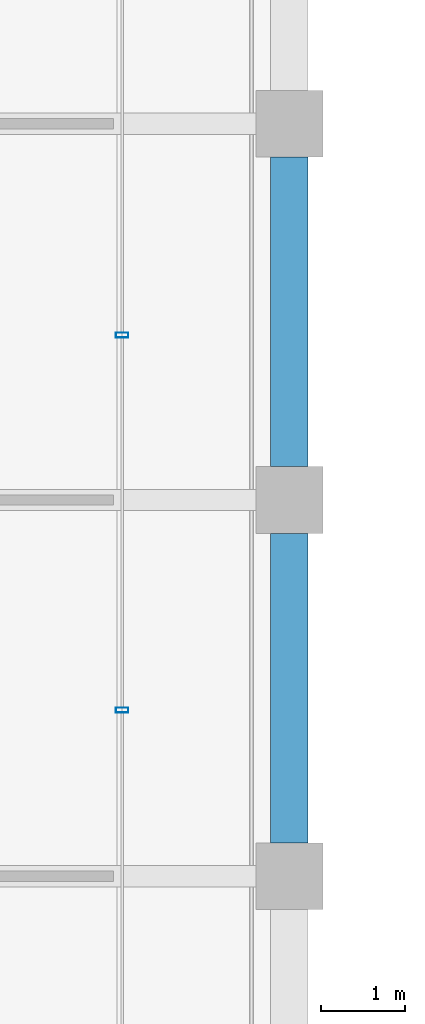
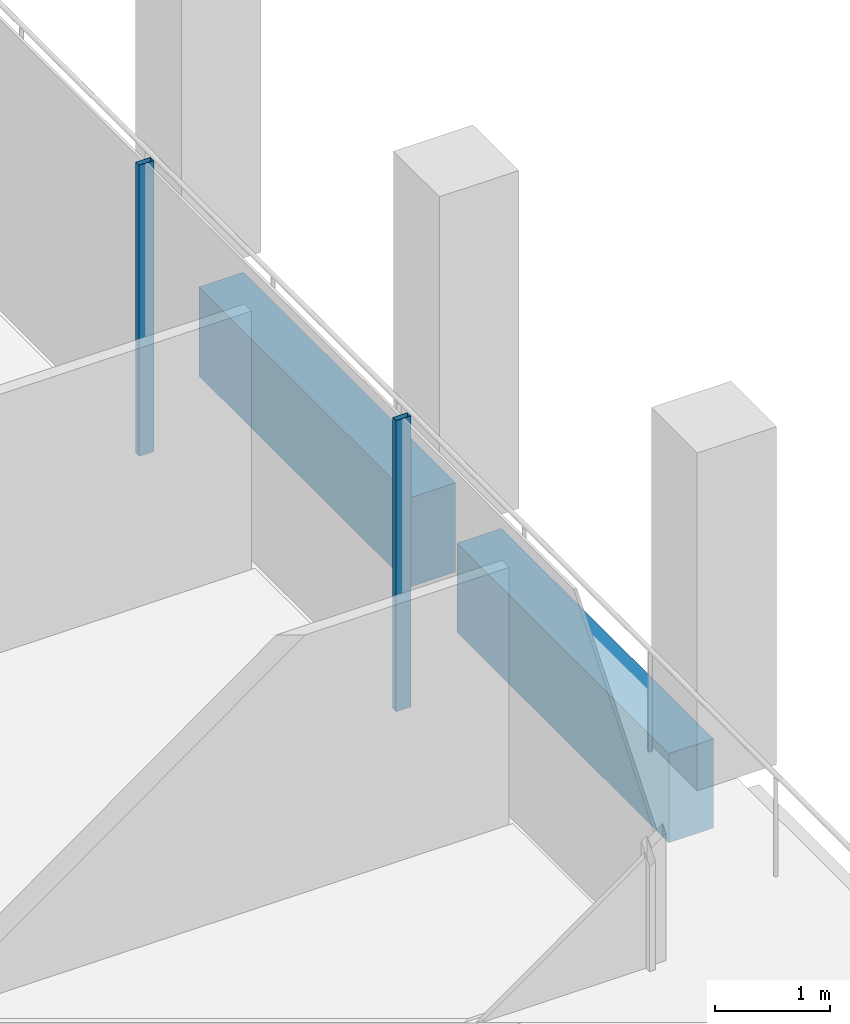
# One storey, part 15 of 41: 2 beams, 2 members, 1 element without a shape of its own.
"""IFC4 building model written with IfcOpenShell, lengths in metres."""

from ifc_helpers import new_model, si_unit, direction, frame, origin, origin_2d, place, context, subcontext, project, spatial, rectangle, hollow_rectangle, extrude, material, material_profile, profile_set, type_object, element, aggregate, save


model = new_model("IFC4")

# Units and contexts
model_context = context("Model", 3, precision=1e-05, world=origin(), true_north=direction((0.0, 1.0)))
body_context = subcontext(model_context, "Body", "Model", "MODEL_VIEW")
ifc_project = project(units=[si_unit("LENGTHUNIT", "METRE"), si_unit("AREAUNIT", "SQUARE_METRE"), si_unit("VOLUMEUNIT", "CUBIC_METRE"), si_unit("PLANEANGLEUNIT", "RADIAN"), si_unit("MASSUNIT", "GRAM", prefix="KILO")], contexts=[model_context])

# Site, building, storey
site_placement = place(None, origin())
site = spatial("IfcSite", under=ifc_project, at=site_placement, CompositionType="ELEMENT")
building_placement = place(site_placement, origin())
building = spatial("IfcBuilding", under=site, at=building_placement, Name="Altepetl Exchange Towers", CompositionType="ELEMENT")
storey_placement = place(building_placement, frame((0.0, 0.0, 206.39990234375)))
storey = spatial("IfcBuildingStorey", under=building, at=storey_placement, Name="L52", CompositionType="ELEMENT", Elevation=206.39990234375)

# Curtain wall, members
ifc_material_1 = material(Name="Aluminium 6063-T6 glazing", Category="aluminium")
curtain_wall_type = type_object("IfcCurtainWallType", Name="Loggia glazing system", PredefinedType="NOTDEFINED", material=ifc_material_1)
curtain_wall_placement = place(storey_placement, origin())
curtain_wall = element("IfcCurtainWall", 1, at=curtain_wall_placement, inside=storey, type_object=curtain_wall_type, Name="CW1 run", PredefinedType="NOTDEFINED")
ifc_material_2 = material(Name="Aluminium 6063-T6", Category="aluminium")
ifc_material_profile_1 = material_profile(ifc_material_2, hollow_rectangle(XDim=0.06005859375, YDim=0.14990234375, WallThickness=0.0029296875, at=origin_2d()), Name="Mullion 60x150 aluminium")
ifc_profile_set_1 = profile_set([ifc_material_profile_1], Name="Aluminium 6063-T6")
member_type = type_object("IfcMemberType", Name="Mullion 60x150 aluminium", PredefinedType="MULLION", material=ifc_profile_set_1)
member_1_placement = place(storey_placement, frame((70.0, 37.986083984375, 0.0), z_axis=(0.0, 0.0, 1.0), x_axis=(0.0, 1.0, 0.0)))
member_1 = element("IfcMember", 2, at=member_1_placement, type_object=member_type, Name="MU1 mullion", PredefinedType="MULLION", context=body_context, shape_type="SweptSolid", body=[
    extrude(hollow_rectangle(XDim=0.06005859375, YDim=0.14990234375, WallThickness=0.0029296875, at=origin_2d()), origin(), (0.0, 0.0, 1.0), 3.10009765625),
])
member_2_placement = place(storey_placement, frame((70.0, 42.471923828125, 0.0), z_axis=(0.0, 0.0, 1.0), x_axis=(0.0, 1.0, 0.0)))
member_2 = element("IfcMember", 3, at=member_2_placement, type_object=member_type, Name="MU1 mullion", PredefinedType="MULLION", context=body_context, shape_type="SweptSolid", body=[
    extrude(hollow_rectangle(XDim=0.06005859375, YDim=0.14990234375, WallThickness=0.0029296875, at=origin_2d()), origin(), (0.0, 0.0, 1.0), 3.10009765625),
])
aggregate(curtain_wall, [member_1, member_2])

# Beams
ifc_material_3 = material(Name="Concrete C50/60 precast with cantera amarilla facing", Category="concrete")
ifc_material_profile_2 = material_profile(ifc_material_3, rectangle(XDim=0.449951171875, YDim=0.949951171875, at=origin_2d()), Name="450 x 950")
ifc_profile_set_2 = profile_set([ifc_material_profile_2], Name="Concrete C50/60 precast with cantera amarilla facing")
beam_type = type_object("IfcBeamType", Name="Spandrel beam 450x950 cantera amarilla", PredefinedType="SPANDREL", material=ifc_profile_set_2)
for number, where, z_axis, x_axis, name in (
    (4, (72.0, 36.39990234375, -0.625), (0.0, 1.0, 0.0), (-1.0, 0.0, 0.0), "sp:A:L52:013"),
    (5, (72.0, 40.89990234375, -0.625), (0.0, 1.0, 0.0), (-1.0, 0.0, 0.0), "sp:A:L52:014"),
):
    element("IfcBeam", number, at=place(storey_placement, frame(where, z_axis=z_axis, x_axis=x_axis)), inside=storey, type_object=beam_type, Name=name, PredefinedType="SPANDREL", context=body_context, shape_type="SweptSolid", body=[
        extrude(rectangle(XDim=0.449951171875, YDim=0.949951171875, at=origin_2d()), origin(), (0.0, 0.0, 1.0), 3.7001953125),
    ])

save(model, "model.ifc")
